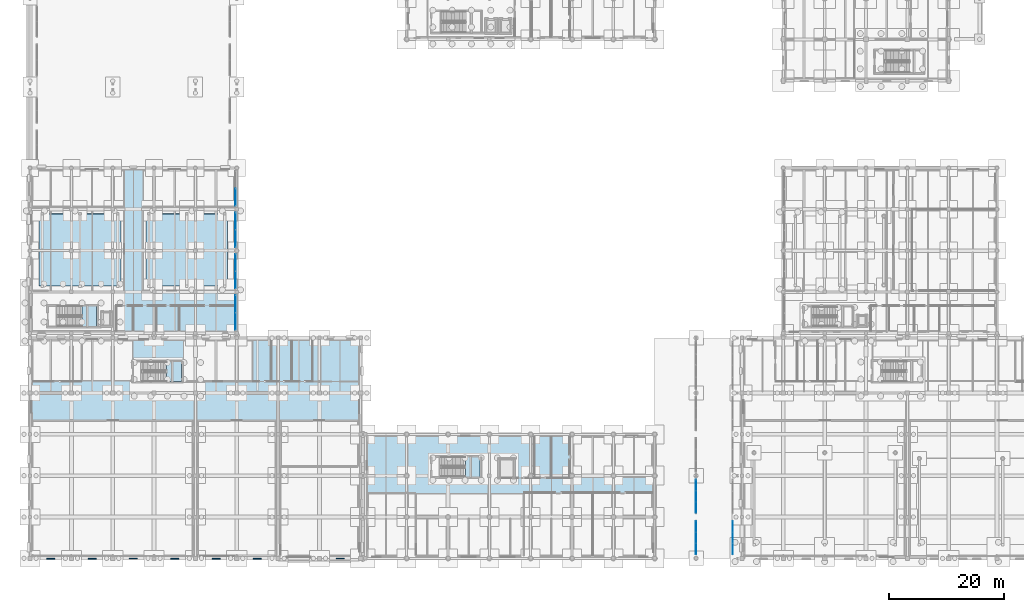
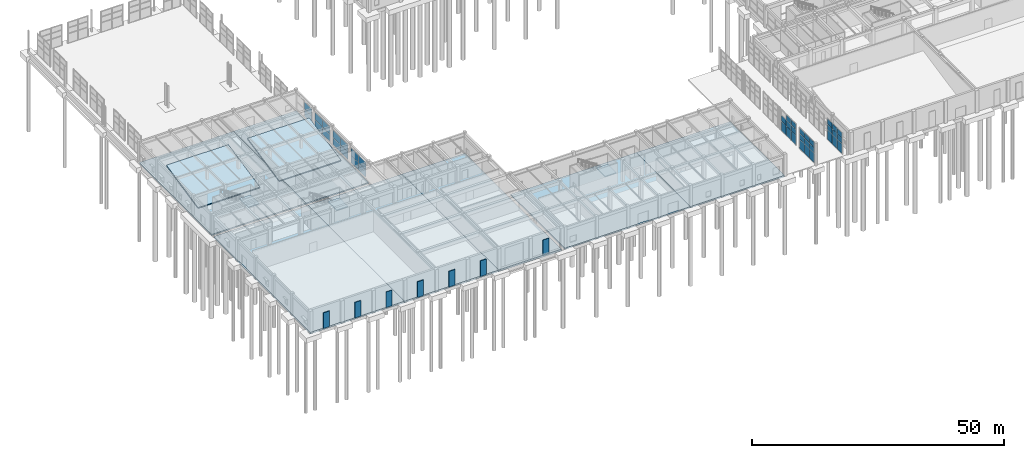
# One storey, part 56 of 91: 47 plates, 12 slabs, 10 elements without a shape of their own.
"""IFC4 building model written with IfcOpenShell, lengths in metres."""

from ifc_helpers import new_model, si_unit, direction, frame, origin, origin_2d, place, context, subcontext, project, spatial, polyline, rectangle, outline, extrude, material, layer, layer_set, type_object, element, aggregate, save


model = new_model("IFC4")

# Units and contexts
model_context = context("Model", 3, precision=1e-05, world=origin(), true_north=direction((0.0, 1.0)))
body_context = subcontext(model_context, "Body", "Model", "MODEL_VIEW")
ifc_project = project(units=[si_unit("LENGTHUNIT", "METRE"), si_unit("AREAUNIT", "SQUARE_METRE"), si_unit("VOLUMEUNIT", "CUBIC_METRE"), si_unit("PLANEANGLEUNIT", "RADIAN"), si_unit("MASSUNIT", "GRAM", prefix="KILO")], contexts=[model_context])

# Site, building, storey
site_placement = place(None, origin())
site = spatial("IfcSite", under=ifc_project, at=site_placement, CompositionType="ELEMENT")
building_placement = place(site_placement, origin())
building = spatial("IfcBuilding", under=site, at=building_placement, Name="Bramveld Media Centre", CompositionType="ELEMENT")
storey_placement = place(building_placement, origin())
storey = spatial("IfcBuildingStorey", under=building, at=storey_placement, Name="L00", CompositionType="ELEMENT", Elevation=0.0)

# Curtain wall, plates
ifc_material_1 = material(Name="Thermally broken anodized bronze aluminium unitized curtain wall with solar-control triple glazing", Category="aluminium")
curtain_wall_type_1 = type_object("IfcCurtainWallType", Name="CW-FACV3-6100x3670", PredefinedType="NOTDEFINED", material=ifc_material_1)
curtain_wall_1_placement = place(storey_placement, origin())
curtain_wall_1 = element("IfcCurtainWall", 1, at=curtain_wall_1_placement, inside=storey, type_object=curtain_wall_type_1, Name="V3 L00 E curtain wall bay 1", PredefinedType="NOTDEFINED")
ifc_material_2 = material(Name="Solar-control triple insulating safety glass unit", Category="glass")
ifc_layer_1 = layer(ifc_material_2, 0.028076171875)
ifc_layer_set_1 = layer_set([ifc_layer_1], Name="Solar-control triple insulating safety glass unit")
plate_type_1 = type_object("IfcPlateType", Name="CW-PAN-EXT", PredefinedType="CURTAIN_PANEL", material=ifc_layer_set_1)
plate_1_placement = place(storey_placement, frame((35.77001953125, 41.2900390625, 0.909912109375), z_axis=(0.0, 0.0, 1.0), x_axis=(0.0, 1.0, 0.0)))
plate_1 = element("IfcPlate", 2, at=plate_1_placement, type_object=plate_type_1, Name="CW-FA-6136 panel 1.1", PredefinedType="CURTAIN_PANEL", context=body_context, shape_type="SweptSolid", body=[
    extrude(rectangle(XDim=2.9599609375, YDim=0.028076171875, at=origin_2d()), origin(), (0.0, 0.0, 1.0), 1.7451171875),
])
plate_2_placement = place(storey_placement, frame((35.77001953125, 41.2900390625, 2.71484375), z_axis=(0.0, 0.0, 1.0), x_axis=(0.0, 1.0, 0.0)))
plate_2 = element("IfcPlate", 3, at=plate_2_placement, type_object=plate_type_1, Name="CW-FA-6136 panel 1.2", PredefinedType="CURTAIN_PANEL", context=body_context, shape_type="SweptSolid", body=[
    extrude(rectangle(XDim=2.9599609375, YDim=0.028076171875, at=origin_2d()), origin(), (0.0, 0.0, 1.0), 1.7451171875),
])
plate_3_placement = place(storey_placement, frame((35.77001953125, 44.31005859375, 0.909912109375), z_axis=(0.0, 0.0, 1.0), x_axis=(0.0, 1.0, 0.0)))
plate_3 = element("IfcPlate", 4, at=plate_3_placement, type_object=plate_type_1, Name="CW-FA-6136 panel 2.1", PredefinedType="CURTAIN_PANEL", context=body_context, shape_type="SweptSolid", body=[
    extrude(rectangle(XDim=2.9599609375, YDim=0.028076171875, at=origin_2d()), origin(), (0.0, 0.0, 1.0), 1.7451171875),
])
plate_4_placement = place(storey_placement, frame((35.77001953125, 44.31005859375, 2.71484375), z_axis=(0.0, 0.0, 1.0), x_axis=(0.0, 1.0, 0.0)))
plate_4 = element("IfcPlate", 5, at=plate_4_placement, type_object=plate_type_1, Name="CW-FA-6136 panel 2.2", PredefinedType="CURTAIN_PANEL", context=body_context, shape_type="SweptSolid", body=[
    extrude(rectangle(XDim=2.9599609375, YDim=0.028076171875, at=origin_2d()), origin(), (0.0, 0.0, 1.0), 1.7451171875),
])
aggregate(curtain_wall_1, [plate_1, plate_2, plate_3, plate_4])

curtain_wall_2_placement = place(storey_placement, origin())
curtain_wall_2 = element("IfcCurtainWall", 6, at=curtain_wall_2_placement, inside=storey, type_object=curtain_wall_type_1, Name="V3 L00 E curtain wall bay 2", PredefinedType="NOTDEFINED")
plate_5_placement = place(storey_placement, frame((35.77001953125, 48.489990234375, 0.909912109375), z_axis=(0.0, 0.0, 1.0), x_axis=(0.0, 1.0, 0.0)))
plate_5 = element("IfcPlate", 7, at=plate_5_placement, type_object=plate_type_1, Name="CW-FA-6136 panel 1.1", PredefinedType="CURTAIN_PANEL", context=body_context, shape_type="SweptSolid", body=[
    extrude(rectangle(XDim=2.9599609375, YDim=0.028076171875, at=origin_2d()), origin(), (0.0, 0.0, 1.0), 1.7451171875),
])
plate_6_placement = place(storey_placement, frame((35.77001953125, 48.489990234375, 2.71484375), z_axis=(0.0, 0.0, 1.0), x_axis=(0.0, 1.0, 0.0)))
plate_6 = element("IfcPlate", 8, at=plate_6_placement, type_object=plate_type_1, Name="CW-FA-6136 panel 1.2", PredefinedType="CURTAIN_PANEL", context=body_context, shape_type="SweptSolid", body=[
    extrude(rectangle(XDim=2.9599609375, YDim=0.028076171875, at=origin_2d()), origin(), (0.0, 0.0, 1.0), 1.7451171875),
])
plate_7_placement = place(storey_placement, frame((35.77001953125, 51.510009765625, 0.909912109375), z_axis=(0.0, 0.0, 1.0), x_axis=(0.0, 1.0, 0.0)))
plate_7 = element("IfcPlate", 9, at=plate_7_placement, type_object=plate_type_1, Name="CW-FA-6136 panel 2.1", PredefinedType="CURTAIN_PANEL", context=body_context, shape_type="SweptSolid", body=[
    extrude(rectangle(XDim=2.9599609375, YDim=0.028076171875, at=origin_2d()), origin(), (0.0, 0.0, 1.0), 1.7451171875),
])
plate_8_placement = place(storey_placement, frame((35.77001953125, 51.510009765625, 2.71484375), z_axis=(0.0, 0.0, 1.0), x_axis=(0.0, 1.0, 0.0)))
plate_8 = element("IfcPlate", 10, at=plate_8_placement, type_object=plate_type_1, Name="CW-FA-6136 panel 2.2", PredefinedType="CURTAIN_PANEL", context=body_context, shape_type="SweptSolid", body=[
    extrude(rectangle(XDim=2.9599609375, YDim=0.028076171875, at=origin_2d()), origin(), (0.0, 0.0, 1.0), 1.7451171875),
])
aggregate(curtain_wall_2, [plate_5, plate_6, plate_7, plate_8])

curtain_wall_3_placement = place(storey_placement, origin())
curtain_wall_3 = element("IfcCurtainWall", 11, at=curtain_wall_3_placement, inside=storey, type_object=curtain_wall_type_1, Name="V3 L00 E curtain wall bay 3", PredefinedType="NOTDEFINED")
plate_9_placement = place(storey_placement, frame((35.77001953125, 55.68994140625, 0.909912109375), z_axis=(0.0, 0.0, 1.0), x_axis=(0.0, 1.0, 0.0)))
plate_9 = element("IfcPlate", 12, at=plate_9_placement, type_object=plate_type_1, Name="CW-FA-6136 panel 1.1", PredefinedType="CURTAIN_PANEL", context=body_context, shape_type="SweptSolid", body=[
    extrude(rectangle(XDim=2.9599609375, YDim=0.028076171875, at=origin_2d()), origin(), (0.0, 0.0, 1.0), 1.7451171875),
])
plate_10_placement = place(storey_placement, frame((35.77001953125, 55.68994140625, 2.71484375), z_axis=(0.0, 0.0, 1.0), x_axis=(0.0, 1.0, 0.0)))
plate_10 = element("IfcPlate", 13, at=plate_10_placement, type_object=plate_type_1, Name="CW-FA-6136 panel 1.2", PredefinedType="CURTAIN_PANEL", context=body_context, shape_type="SweptSolid", body=[
    extrude(rectangle(XDim=2.9599609375, YDim=0.028076171875, at=origin_2d()), origin(), (0.0, 0.0, 1.0), 1.7451171875),
])
plate_11_placement = place(storey_placement, frame((35.77001953125, 58.7099609375, 0.909912109375), z_axis=(0.0, 0.0, 1.0), x_axis=(0.0, 1.0, 0.0)))
plate_11 = element("IfcPlate", 14, at=plate_11_placement, type_object=plate_type_1, Name="CW-FA-6136 panel 2.1", PredefinedType="CURTAIN_PANEL", context=body_context, shape_type="SweptSolid", body=[
    extrude(rectangle(XDim=2.9599609375, YDim=0.028076171875, at=origin_2d()), origin(), (0.0, 0.0, 1.0), 1.7451171875),
])
plate_12_placement = place(storey_placement, frame((35.77001953125, 58.7099609375, 2.71484375), z_axis=(0.0, 0.0, 1.0), x_axis=(0.0, 1.0, 0.0)))
plate_12 = element("IfcPlate", 15, at=plate_12_placement, type_object=plate_type_1, Name="CW-FA-6136 panel 2.2", PredefinedType="CURTAIN_PANEL", context=body_context, shape_type="SweptSolid", body=[
    extrude(rectangle(XDim=2.9599609375, YDim=0.028076171875, at=origin_2d()), origin(), (0.0, 0.0, 1.0), 1.7451171875),
])
aggregate(curtain_wall_3, [plate_9, plate_10, plate_11, plate_12])

curtain_wall_4_placement = place(storey_placement, origin())
curtain_wall_4 = element("IfcCurtainWall", 16, at=curtain_wall_4_placement, inside=storey, type_object=curtain_wall_type_1, Name="V3 L00 E curtain wall bay 4", PredefinedType="NOTDEFINED")
plate_13_placement = place(storey_placement, frame((35.77001953125, 62.889892578125, 0.909912109375), z_axis=(0.0, 0.0, 1.0), x_axis=(0.0, 1.0, 0.0)))
plate_13 = element("IfcPlate", 17, at=plate_13_placement, type_object=plate_type_1, Name="CW-FA-6136 panel 1.1", PredefinedType="CURTAIN_PANEL", context=body_context, shape_type="SweptSolid", body=[
    extrude(rectangle(XDim=2.9599609375, YDim=0.028076171875, at=origin_2d()), origin(), (0.0, 0.0, 1.0), 1.7451171875),
])
plate_14_placement = place(storey_placement, frame((35.77001953125, 62.889892578125, 2.71484375), z_axis=(0.0, 0.0, 1.0), x_axis=(0.0, 1.0, 0.0)))
plate_14 = element("IfcPlate", 18, at=plate_14_placement, type_object=plate_type_1, Name="CW-FA-6136 panel 1.2", PredefinedType="CURTAIN_PANEL", context=body_context, shape_type="SweptSolid", body=[
    extrude(rectangle(XDim=2.9599609375, YDim=0.028076171875, at=origin_2d()), origin(), (0.0, 0.0, 1.0), 1.7451171875),
])
aggregate(curtain_wall_4, [plate_13, plate_14])

ifc_material_3 = material(Name="Thermally broken anodized bronze aluminium unitized curtain wall with solar-control triple glazing", Category="aluminium")
curtain_wall_type_2 = type_object("IfcCurtainWallType", Name="CW-GAL-5900x5160", PredefinedType="NOTDEFINED", material=ifc_material_3)
curtain_wall_5_placement = place(storey_placement, origin())
curtain_wall_5 = element("IfcCurtainWall", 19, at=curtain_wall_5_placement, inside=storey, type_object=curtain_wall_type_2, Name="PASS-M colonnade glazed screen 1", PredefinedType="NOTDEFINED")
plate_15_placement = place(storey_placement, frame((116.0, 1.6484375, 0.06005859375), z_axis=(0.0, 0.0, 1.0), x_axis=(0.0, 1.0, 0.0)))
plate_15 = element("IfcPlate", 20, at=plate_15_placement, type_object=plate_type_1, Name="CW-GA-5951 panel 1.1", PredefinedType="CURTAIN_PANEL", context=body_context, shape_type="SweptSolid", body=[
    extrude(rectangle(XDim=1.876708984375, YDim=0.028076171875, at=origin_2d()), origin(), (0.0, 0.0, 1.0), 2.31005859375),
])
plate_16_placement = place(storey_placement, frame((116.0, 1.6484375, 2.43017578125), z_axis=(0.0, 0.0, 1.0), x_axis=(0.0, 1.0, 0.0)))
plate_16 = element("IfcPlate", 21, at=plate_16_placement, type_object=plate_type_1, Name="CW-GA-5951 panel 1.2", PredefinedType="CURTAIN_PANEL", context=body_context, shape_type="SweptSolid", body=[
    extrude(rectangle(XDim=1.876708984375, YDim=0.028076171875, at=origin_2d()), origin(), (0.0, 0.0, 1.0), 1.340087890625),
])
plate_17_placement = place(storey_placement, frame((116.0, 1.6484375, 3.830078125), z_axis=(0.0, 0.0, 1.0), x_axis=(0.0, 1.0, 0.0)))
plate_17 = element("IfcPlate", 22, at=plate_17_placement, type_object=plate_type_1, Name="CW-GA-5951 panel 1.3", PredefinedType="CURTAIN_PANEL", context=body_context, shape_type="SweptSolid", body=[
    extrude(rectangle(XDim=1.876708984375, YDim=0.028076171875, at=origin_2d()), origin(), (0.0, 0.0, 1.0), 1.27001953125),
])
plate_18_placement = place(storey_placement, frame((116.0, 3.60009765625, 0.06005859375), z_axis=(0.0, 0.0, 1.0), x_axis=(0.0, 1.0, 0.0)))
plate_18 = element("IfcPlate", 23, at=plate_18_placement, type_object=plate_type_1, Name="CW-GA-5951 panel 2.1", PredefinedType="CURTAIN_PANEL", context=body_context, shape_type="SweptSolid", body=[
    extrude(rectangle(XDim=1.90673828125, YDim=0.028076171875, at=origin_2d()), origin(), (0.0, 0.0, 1.0), 2.31005859375),
])
plate_19_placement = place(storey_placement, frame((116.0, 3.60009765625, 2.43017578125), z_axis=(0.0, 0.0, 1.0), x_axis=(0.0, 1.0, 0.0)))
plate_19 = element("IfcPlate", 24, at=plate_19_placement, type_object=plate_type_1, Name="CW-GA-5951 panel 2.2", PredefinedType="CURTAIN_PANEL", context=body_context, shape_type="SweptSolid", body=[
    extrude(rectangle(XDim=1.90673828125, YDim=0.028076171875, at=origin_2d()), origin(), (0.0, 0.0, 1.0), 1.340087890625),
])
plate_20_placement = place(storey_placement, frame((116.0, 3.60009765625, 3.830078125), z_axis=(0.0, 0.0, 1.0), x_axis=(0.0, 1.0, 0.0)))
plate_20 = element("IfcPlate", 25, at=plate_20_placement, type_object=plate_type_1, Name="CW-GA-5951 panel 2.3", PredefinedType="CURTAIN_PANEL", context=body_context, shape_type="SweptSolid", body=[
    extrude(rectangle(XDim=1.90673828125, YDim=0.028076171875, at=origin_2d()), origin(), (0.0, 0.0, 1.0), 1.27001953125),
])
plate_21_placement = place(storey_placement, frame((116.0, 5.5517578125, 0.06005859375), z_axis=(0.0, 0.0, 1.0), x_axis=(0.0, 1.0, 0.0)))
plate_21 = element("IfcPlate", 26, at=plate_21_placement, type_object=plate_type_1, Name="CW-GA-5951 panel 3.1", PredefinedType="CURTAIN_PANEL", context=body_context, shape_type="SweptSolid", body=[
    extrude(rectangle(XDim=1.876708984375, YDim=0.028076171875, at=origin_2d()), origin(), (0.0, 0.0, 1.0), 2.31005859375),
])
plate_22_placement = place(storey_placement, frame((116.0, 5.5517578125, 2.43017578125), z_axis=(0.0, 0.0, 1.0), x_axis=(0.0, 1.0, 0.0)))
plate_22 = element("IfcPlate", 27, at=plate_22_placement, type_object=plate_type_1, Name="CW-GA-5951 panel 3.2", PredefinedType="CURTAIN_PANEL", context=body_context, shape_type="SweptSolid", body=[
    extrude(rectangle(XDim=1.876708984375, YDim=0.028076171875, at=origin_2d()), origin(), (0.0, 0.0, 1.0), 1.340087890625),
])
plate_23_placement = place(storey_placement, frame((116.0, 5.5517578125, 3.830078125), z_axis=(0.0, 0.0, 1.0), x_axis=(0.0, 1.0, 0.0)))
plate_23 = element("IfcPlate", 28, at=plate_23_placement, type_object=plate_type_1, Name="CW-GA-5951 panel 3.3", PredefinedType="CURTAIN_PANEL", context=body_context, shape_type="SweptSolid", body=[
    extrude(rectangle(XDim=1.876708984375, YDim=0.028076171875, at=origin_2d()), origin(), (0.0, 0.0, 1.0), 1.27001953125),
])
aggregate(curtain_wall_5, [plate_15, plate_16, plate_17, plate_18, plate_19, plate_20, plate_21, plate_22, plate_23])

curtain_wall_6_placement = place(storey_placement, origin())
curtain_wall_6 = element("IfcCurtainWall", 29, at=curtain_wall_6_placement, inside=storey, type_object=curtain_wall_type_2, Name="PASS-M colonnade glazed screen 2", PredefinedType="NOTDEFINED")
plate_24_placement = place(storey_placement, frame((116.0, 8.848388671875, 0.06005859375), z_axis=(0.0, 0.0, 1.0), x_axis=(0.0, 1.0, 0.0)))
plate_24 = element("IfcPlate", 30, at=plate_24_placement, type_object=plate_type_1, Name="CW-GA-5951 panel 1.1", PredefinedType="CURTAIN_PANEL", context=body_context, shape_type="SweptSolid", body=[
    extrude(rectangle(XDim=1.876708984375, YDim=0.028076171875, at=origin_2d()), origin(), (0.0, 0.0, 1.0), 2.31005859375),
])
plate_25_placement = place(storey_placement, frame((116.0, 8.848388671875, 2.43017578125), z_axis=(0.0, 0.0, 1.0), x_axis=(0.0, 1.0, 0.0)))
plate_25 = element("IfcPlate", 31, at=plate_25_placement, type_object=plate_type_1, Name="CW-GA-5951 panel 1.2", PredefinedType="CURTAIN_PANEL", context=body_context, shape_type="SweptSolid", body=[
    extrude(rectangle(XDim=1.876708984375, YDim=0.028076171875, at=origin_2d()), origin(), (0.0, 0.0, 1.0), 1.340087890625),
])
plate_26_placement = place(storey_placement, frame((116.0, 8.848388671875, 3.830078125), z_axis=(0.0, 0.0, 1.0), x_axis=(0.0, 1.0, 0.0)))
plate_26 = element("IfcPlate", 32, at=plate_26_placement, type_object=plate_type_1, Name="CW-GA-5951 panel 1.3", PredefinedType="CURTAIN_PANEL", context=body_context, shape_type="SweptSolid", body=[
    extrude(rectangle(XDim=1.876708984375, YDim=0.028076171875, at=origin_2d()), origin(), (0.0, 0.0, 1.0), 1.27001953125),
])
plate_27_placement = place(storey_placement, frame((116.0, 10.800048828125, 0.06005859375), z_axis=(0.0, 0.0, 1.0), x_axis=(0.0, 1.0, 0.0)))
plate_27 = element("IfcPlate", 33, at=plate_27_placement, type_object=plate_type_1, Name="CW-GA-5951 panel 2.1", PredefinedType="CURTAIN_PANEL", context=body_context, shape_type="SweptSolid", body=[
    extrude(rectangle(XDim=1.90673828125, YDim=0.028076171875, at=origin_2d()), origin(), (0.0, 0.0, 1.0), 2.31005859375),
])
plate_28_placement = place(storey_placement, frame((116.0, 10.800048828125, 2.43017578125), z_axis=(0.0, 0.0, 1.0), x_axis=(0.0, 1.0, 0.0)))
plate_28 = element("IfcPlate", 34, at=plate_28_placement, type_object=plate_type_1, Name="CW-GA-5951 panel 2.2", PredefinedType="CURTAIN_PANEL", context=body_context, shape_type="SweptSolid", body=[
    extrude(rectangle(XDim=1.90673828125, YDim=0.028076171875, at=origin_2d()), origin(), (0.0, 0.0, 1.0), 1.340087890625),
])
plate_29_placement = place(storey_placement, frame((116.0, 10.800048828125, 3.830078125), z_axis=(0.0, 0.0, 1.0), x_axis=(0.0, 1.0, 0.0)))
plate_29 = element("IfcPlate", 35, at=plate_29_placement, type_object=plate_type_1, Name="CW-GA-5951 panel 2.3", PredefinedType="CURTAIN_PANEL", context=body_context, shape_type="SweptSolid", body=[
    extrude(rectangle(XDim=1.90673828125, YDim=0.028076171875, at=origin_2d()), origin(), (0.0, 0.0, 1.0), 1.27001953125),
])
plate_30_placement = place(storey_placement, frame((116.0, 12.751708984375, 0.06005859375), z_axis=(0.0, 0.0, 1.0), x_axis=(0.0, 1.0, 0.0)))
plate_30 = element("IfcPlate", 36, at=plate_30_placement, type_object=plate_type_1, Name="CW-GA-5951 panel 3.1", PredefinedType="CURTAIN_PANEL", context=body_context, shape_type="SweptSolid", body=[
    extrude(rectangle(XDim=1.876708984375, YDim=0.028076171875, at=origin_2d()), origin(), (0.0, 0.0, 1.0), 2.31005859375),
])
plate_31_placement = place(storey_placement, frame((116.0, 12.751708984375, 2.43017578125), z_axis=(0.0, 0.0, 1.0), x_axis=(0.0, 1.0, 0.0)))
plate_31 = element("IfcPlate", 37, at=plate_31_placement, type_object=plate_type_1, Name="CW-GA-5951 panel 3.2", PredefinedType="CURTAIN_PANEL", context=body_context, shape_type="SweptSolid", body=[
    extrude(rectangle(XDim=1.876708984375, YDim=0.028076171875, at=origin_2d()), origin(), (0.0, 0.0, 1.0), 1.340087890625),
])
aggregate(curtain_wall_6, [plate_24, plate_25, plate_26, plate_27, plate_28, plate_29, plate_30, plate_31])

curtain_wall_7_placement = place(storey_placement, origin())
curtain_wall_7 = element("IfcCurtainWall", 38, at=curtain_wall_7_placement, inside=storey, type_object=curtain_wall_type_2, Name="PASS-E colonnade glazed screen 1", PredefinedType="NOTDEFINED")
plate_32_placement = place(storey_placement, frame((122.39990234375, 1.6484375, 0.06005859375), z_axis=(0.0, 0.0, 1.0), x_axis=(0.0, 1.0, 0.0)))
plate_32 = element("IfcPlate", 39, at=plate_32_placement, type_object=plate_type_1, Name="CW-GA-5951 panel 1.1", PredefinedType="CURTAIN_PANEL", context=body_context, shape_type="SweptSolid", body=[
    extrude(rectangle(XDim=1.876708984375, YDim=0.028076171875, at=origin_2d()), origin(), (0.0, 0.0, 1.0), 2.31005859375),
])
plate_33_placement = place(storey_placement, frame((122.39990234375, 1.6484375, 2.43017578125), z_axis=(0.0, 0.0, 1.0), x_axis=(0.0, 1.0, 0.0)))
plate_33 = element("IfcPlate", 40, at=plate_33_placement, type_object=plate_type_1, Name="CW-GA-5951 panel 1.2", PredefinedType="CURTAIN_PANEL", context=body_context, shape_type="SweptSolid", body=[
    extrude(rectangle(XDim=1.876708984375, YDim=0.028076171875, at=origin_2d()), origin(), (0.0, 0.0, 1.0), 1.340087890625),
])
plate_34_placement = place(storey_placement, frame((122.39990234375, 1.6484375, 3.830078125), z_axis=(0.0, 0.0, 1.0), x_axis=(0.0, 1.0, 0.0)))
plate_34 = element("IfcPlate", 41, at=plate_34_placement, type_object=plate_type_1, Name="CW-GA-5951 panel 1.3", PredefinedType="CURTAIN_PANEL", context=body_context, shape_type="SweptSolid", body=[
    extrude(rectangle(XDim=1.876708984375, YDim=0.028076171875, at=origin_2d()), origin(), (0.0, 0.0, 1.0), 1.27001953125),
])
plate_35_placement = place(storey_placement, frame((122.39990234375, 3.60009765625, 0.06005859375), z_axis=(0.0, 0.0, 1.0), x_axis=(0.0, 1.0, 0.0)))
plate_35 = element("IfcPlate", 42, at=plate_35_placement, type_object=plate_type_1, Name="CW-GA-5951 panel 2.1", PredefinedType="CURTAIN_PANEL", context=body_context, shape_type="SweptSolid", body=[
    extrude(rectangle(XDim=1.90673828125, YDim=0.028076171875, at=origin_2d()), origin(), (0.0, 0.0, 1.0), 2.31005859375),
])
plate_36_placement = place(storey_placement, frame((122.39990234375, 3.60009765625, 2.43017578125), z_axis=(0.0, 0.0, 1.0), x_axis=(0.0, 1.0, 0.0)))
plate_36 = element("IfcPlate", 43, at=plate_36_placement, type_object=plate_type_1, Name="CW-GA-5951 panel 2.2", PredefinedType="CURTAIN_PANEL", context=body_context, shape_type="SweptSolid", body=[
    extrude(rectangle(XDim=1.90673828125, YDim=0.028076171875, at=origin_2d()), origin(), (0.0, 0.0, 1.0), 1.340087890625),
])
plate_37_placement = place(storey_placement, frame((122.39990234375, 3.60009765625, 3.830078125), z_axis=(0.0, 0.0, 1.0), x_axis=(0.0, 1.0, 0.0)))
plate_37 = element("IfcPlate", 44, at=plate_37_placement, type_object=plate_type_1, Name="CW-GA-5951 panel 2.3", PredefinedType="CURTAIN_PANEL", context=body_context, shape_type="SweptSolid", body=[
    extrude(rectangle(XDim=1.90673828125, YDim=0.028076171875, at=origin_2d()), origin(), (0.0, 0.0, 1.0), 1.27001953125),
])
plate_38_placement = place(storey_placement, frame((122.39990234375, 5.5517578125, 0.06005859375), z_axis=(0.0, 0.0, 1.0), x_axis=(0.0, 1.0, 0.0)))
plate_38 = element("IfcPlate", 45, at=plate_38_placement, type_object=plate_type_1, Name="CW-GA-5951 panel 3.1", PredefinedType="CURTAIN_PANEL", context=body_context, shape_type="SweptSolid", body=[
    extrude(rectangle(XDim=1.876708984375, YDim=0.028076171875, at=origin_2d()), origin(), (0.0, 0.0, 1.0), 2.31005859375),
])
plate_39_placement = place(storey_placement, frame((122.39990234375, 5.5517578125, 2.43017578125), z_axis=(0.0, 0.0, 1.0), x_axis=(0.0, 1.0, 0.0)))
plate_39 = element("IfcPlate", 46, at=plate_39_placement, type_object=plate_type_1, Name="CW-GA-5951 panel 3.2", PredefinedType="CURTAIN_PANEL", context=body_context, shape_type="SweptSolid", body=[
    extrude(rectangle(XDim=1.876708984375, YDim=0.028076171875, at=origin_2d()), origin(), (0.0, 0.0, 1.0), 1.340087890625),
])
plate_40_placement = place(storey_placement, frame((122.39990234375, 5.5517578125, 3.830078125), z_axis=(0.0, 0.0, 1.0), x_axis=(0.0, 1.0, 0.0)))
plate_40 = element("IfcPlate", 47, at=plate_40_placement, type_object=plate_type_1, Name="CW-GA-5951 panel 3.3", PredefinedType="CURTAIN_PANEL", context=body_context, shape_type="SweptSolid", body=[
    extrude(rectangle(XDim=1.876708984375, YDim=0.028076171875, at=origin_2d()), origin(), (0.0, 0.0, 1.0), 1.27001953125),
])
aggregate(curtain_wall_7, [plate_32, plate_33, plate_34, plate_35, plate_36, plate_37, plate_38, plate_39, plate_40])

# Plates
ifc_material_4 = material(Name="Perforated Flemish red-brown clay brick claustra screen on stainless steel ties", Category="masonry")
ifc_layer_2 = layer(ifc_material_4, 0.114990234375)
ifc_layer_set_2 = layer_set([ifc_layer_2], Name="Perforated Flemish red-brown clay brick claustra screen on stainless steel ties")
plate_type_2 = type_object("IfcPlateType", Name="PLT-CLAUSTRA-115", PredefinedType="USERDEFINED", material=ifc_layer_set_2)
for number, where, z_axis, x_axis, name in (
    (48, (54.0, -0.03759765625, 0.0), (0.0, 0.0, 1.0), (1.0, 0.0, 0.0), "Perforated Flemish brick claustra screen 8"),
    (49, (18.0, -0.03759765625, 0.0), (0.0, 0.0, 1.0), (1.0, 0.0, 0.0), "Perforated Flemish brick claustra screen 12"),
):
    element("IfcPlate", number, at=place(storey_placement, frame(where, z_axis=z_axis, x_axis=x_axis)), inside=storey, type_object=plate_type_2, Name=name, ObjectType="CLAUSTRA_PANEL", PredefinedType="USERDEFINED", context=body_context, shape_type="SweptSolid", body=[
        extrude(rectangle(XDim=1.39208984375, YDim=0.114990234375, at=origin_2d()), origin(), (0.0, 0.0, 1.0), 3.800048828125),
    ])
ifc_material_5 = material(Name="Perforated Flemish red-brown clay brick claustra screen on stainless steel ties", Category="masonry")
ifc_layer_3 = layer(ifc_material_5, 0.135009765625)
ifc_layer_set_3 = layer_set([ifc_layer_3], Name="Perforated Flemish red-brown clay brick claustra screen on stainless steel ties")
plate_type_3 = type_object("IfcPlateType", Name="PLT-CLAUSTRA-135", PredefinedType="USERDEFINED", material=ifc_layer_set_3)
for number, where, z_axis, x_axis, name in (
    (50, (39.60009765625, -0.047607421875, 0.0), (0.0, 0.0, 1.0), (1.0, 0.0, 0.0), "Perforated Flemish brick claustra screen 9"),
    (51, (10.800048828125, -0.047607421875, 0.0), (0.0, 0.0, 1.0), (1.0, 0.0, 0.0), "Perforated Flemish brick claustra screen 13"),
):
    element("IfcPlate", number, at=place(storey_placement, frame(where, z_axis=z_axis, x_axis=x_axis)), inside=storey, type_object=plate_type_3, Name=name, ObjectType="CLAUSTRA_PANEL", PredefinedType="USERDEFINED", context=body_context, shape_type="SweptSolid", body=[
        extrude(rectangle(XDim=1.39208984375, YDim=0.135009765625, at=origin_2d()), origin(), (0.0, 0.0, 1.0), 3.800048828125),
    ])
ifc_material_6 = material(Name="Perforated Flemish red-brown clay brick claustra screen on stainless steel ties", Category="masonry")
ifc_layer_4 = layer(ifc_material_6, 0.155029296875)
ifc_layer_set_4 = layer_set([ifc_layer_4], Name="Perforated Flemish red-brown clay brick claustra screen on stainless steel ties")
plate_type_4 = type_object("IfcPlateType", Name="PLT-CLAUSTRA-155", PredefinedType="USERDEFINED", material=ifc_layer_set_4)
for number, where, z_axis, x_axis, name in (
    (52, (32.39990234375, -0.0576171875, 0.0), (0.0, 0.0, 1.0), (1.0, 0.0, 0.0), "Perforated Flemish brick claustra screen 10"),
    (53, (3.60009765625, -0.0576171875, 0.0), (0.0, 0.0, 1.0), (1.0, 0.0, 0.0), "Perforated Flemish brick claustra screen 14"),
):
    element("IfcPlate", number, at=place(storey_placement, frame(where, z_axis=z_axis, x_axis=x_axis)), inside=storey, type_object=plate_type_4, Name=name, ObjectType="CLAUSTRA_PANEL", PredefinedType="USERDEFINED", context=body_context, shape_type="SweptSolid", body=[
        extrude(rectangle(XDim=1.39208984375, YDim=0.155029296875, at=origin_2d()), origin(), (0.0, 0.0, 1.0), 3.800048828125),
    ])
ifc_material_7 = material(Name="Perforated Flemish red-brown clay brick claustra screen on stainless steel ties", Category="masonry")
ifc_layer_5 = layer(ifc_material_7, 0.175048828125)
ifc_layer_set_5 = layer_set([ifc_layer_5], Name="Perforated Flemish red-brown clay brick claustra screen on stainless steel ties")
plate_type_5 = type_object("IfcPlateType", Name="PLT-CLAUSTRA-175", PredefinedType="USERDEFINED", material=ifc_layer_set_5)
plate_41_placement = place(storey_placement, frame((25.199951171875, -0.0673828125, 0.0), z_axis=(0.0, 0.0, 1.0), x_axis=(1.0, 0.0, 0.0)))
element("IfcPlate", 54, at=plate_41_placement, inside=storey, type_object=plate_type_5, Name="Perforated Flemish brick claustra screen 11", ObjectType="CLAUSTRA_PANEL", PredefinedType="USERDEFINED", context=body_context, shape_type="SweptSolid", body=[
    extrude(rectangle(XDim=1.39208984375, YDim=0.175048828125, at=origin_2d()), origin(), (0.0, 0.0, 1.0), 3.800048828125),
])

# Slabs
ifc_material_8 = material(Name="Concrete C35/45", Category="concrete")
ifc_layer_6 = layer(ifc_material_8, 0.320068359375)
ifc_layer_set_6 = layer_set([ifc_layer_6], Name="Concrete C35/45")
slab_type_1 = type_object("IfcSlabType", Name="SLAB-BASESLAB-INT-320", PredefinedType="BASESLAB", material=ifc_layer_set_6)
slab_1_placement = place(storey_placement, frame((0.0, 0.0, -0.320068359375)))
element("IfcSlab", 55, at=slab_1_placement, inside=storey, type_object=slab_type_1, Name="V3 L00 structural slab 1", PredefinedType="BASESLAB", context=body_context, shape_type="SweptSolid", body=[
    extrude(outline(polyline([(0.0, 39.199951171875), (0.0, 68.0), (21.60009765625, 68.0), (21.60009765625, 39.199951171875), (0.0, 39.199951171875)])), origin(), (0.0, 0.0, 1.0), 0.320068359375),
])
slab_2_placement = place(storey_placement, frame((0.0, 0.0, -0.320068359375)))
element("IfcSlab", 56, at=slab_2_placement, inside=storey, type_object=slab_type_1, Name="V3 L00 structural slab 2", PredefinedType="BASESLAB", context=body_context, shape_type="SweptSolid", body=[
    extrude(outline(polyline([(36.0, 68.0), (36.0, 39.199951171875), (21.60009765625, 39.199951171875), (21.60009765625, 68.0), (36.0, 68.0)])), origin(), (0.0, 0.0, 1.0), 0.320068359375),
])
ifc_material_9 = material(Name="Concrete C35/45", Category="concrete")
ifc_layer_7 = layer(ifc_material_9, 0.340087890625)
ifc_layer_set_7 = layer_set([ifc_layer_7], Name="Concrete C35/45")
slab_type_2 = type_object("IfcSlabType", Name="SLAB-BASESLAB-INT-340", PredefinedType="BASESLAB", material=ifc_layer_set_7)
slab_3_placement = place(storey_placement, frame((0.0, 0.0, -0.340087890625)))
element("IfcSlab", 57, at=slab_3_placement, inside=storey, type_object=slab_type_2, Name="V5 L00 structural slab 1", PredefinedType="BASESLAB", context=body_context, shape_type="SweptSolid", body=[
    extrude(outline(polyline([(58.39990234375, 0.0), (58.39990234375, 21.60009765625), (87.199951171875, 21.60009765625), (87.199951171875, 0.0), (58.39990234375, 0.0)])), origin(), (0.0, 0.0, 1.0), 0.340087890625),
])
slab_4_placement = place(storey_placement, frame((0.0, 0.0, -0.340087890625)))
element("IfcSlab", 58, at=slab_4_placement, inside=storey, type_object=slab_type_2, Name="V5 L00 structural slab 2", PredefinedType="BASESLAB", context=body_context, shape_type="SweptSolid", body=[
    extrude(outline(polyline([(108.800048828125, 21.60009765625), (108.800048828125, 0.0), (87.199951171875, 0.0), (87.199951171875, 21.60009765625), (108.800048828125, 21.60009765625)])), origin(), (0.0, 0.0, 1.0), 0.340087890625),
])
ifc_material_10 = material(Name="Concrete C35/45", Category="concrete")
ifc_layer_8 = layer(ifc_material_10, 0.3798828125)
ifc_layer_set_8 = layer_set([ifc_layer_8], Name="Concrete C35/45")
slab_type_3 = type_object("IfcSlabType", Name="SLAB-BASESLAB-INT-380", PredefinedType="BASESLAB", material=ifc_layer_set_8)
slab_5_placement = place(storey_placement, frame((0.0, 0.0, -0.3798828125)))
element("IfcSlab", 59, at=slab_5_placement, inside=storey, type_object=slab_type_3, Name="V2 L00 structural slab 1", PredefinedType="BASESLAB", context=body_context, shape_type="SweptSolid", body=[
    extrude(outline(polyline([(0.0, 0.0), (0.0, 38.39990234375), (21.60009765625, 38.39990234375), (21.60009765625, 0.0), (0.0, 0.0)])), origin(), (0.0, 0.0, 1.0), 0.3798828125),
])
slab_6_placement = place(storey_placement, frame((0.0, 0.0, -0.3798828125)))
element("IfcSlab", 60, at=slab_6_placement, inside=storey, type_object=slab_type_3, Name="V2 L00 structural slab 2", PredefinedType="BASESLAB", context=body_context, shape_type="SweptSolid", body=[
    extrude(outline(polyline([(43.199951171875, 38.39990234375), (43.199951171875, 0.0), (21.60009765625, 0.0), (21.60009765625, 38.39990234375), (43.199951171875, 38.39990234375)])), origin(), (0.0, 0.0, 1.0), 0.3798828125),
])
slab_7_placement = place(storey_placement, frame((0.0, 0.0, -0.3798828125)))
element("IfcSlab", 61, at=slab_7_placement, inside=storey, type_object=slab_type_3, Name="V2 L00 structural slab 3", PredefinedType="BASESLAB", context=body_context, shape_type="SweptSolid", body=[
    extrude(outline(polyline([(57.60009765625, 38.39990234375), (57.60009765625, 0.0), (43.199951171875, 0.0), (43.199951171875, 38.39990234375), (57.60009765625, 38.39990234375)])), origin(), (0.0, 0.0, 1.0), 0.3798828125),
])

# Stair, slab
ifc_material_11 = material(Name="Concrete C40/50", Category="concrete")
stair_type_1 = type_object("IfcStairType", Name="STAIR-ST-04-32R-1650", PredefinedType="HALF_TURN_STAIR", material=ifc_material_11)
stair_1_placement = place(storey_placement, origin())
stair_1 = element("IfcStair", 62, at=stair_1_placement, inside=storey, type_object=stair_type_1, Name="L00 Repertory Cinema & Rooftop Terrace Stair", PredefinedType="HALF_TURN_STAIR")
ifc_material_12 = material(Name="Concrete C40/50", Category="concrete")
ifc_layer_9 = layer(ifc_material_12, 0.199951171875)
ifc_layer_set_9 = layer_set([ifc_layer_9], Name="Concrete C40/50")
slab_type_4 = type_object("IfcSlabType", Name="SLAB-STAIR-LAND-200", PredefinedType="LANDING", material=ifc_layer_set_9)
slab_8_placement = place(storey_placement, frame((0.0, 0.0, 2.5)))
slab_8 = element("IfcSlab", 63, at=slab_8_placement, type_object=slab_type_4, Name="ST-04 landing 1", PredefinedType="LANDING", context=body_context, shape_type="SweptSolid", body=[
    extrude(outline(polyline([(9.050048828125, 40.39990234375), (11.60009765625, 40.39990234375), (11.60009765625, 43.949951171875), (9.050048828125, 43.949951171875), (9.050048828125, 40.39990234375)])), origin(), (0.0, 0.0, 1.0), 0.199951171875),
])
aggregate(stair_1, [slab_8])

ifc_material_13 = material(Name="Concrete C40/50", Category="concrete")
stair_type_2 = type_object("IfcStairType", Name="STAIR-ST-05-32R-1600", PredefinedType="HALF_TURN_STAIR", material=ifc_material_13)
stair_2_placement = place(storey_placement, origin())
stair_2 = element("IfcStair", 64, at=stair_2_placement, inside=storey, type_object=stair_type_2, Name="L00 Broadcast Studio Gallery Stair", PredefinedType="HALF_TURN_STAIR")
slab_9_placement = place(storey_placement, frame((0.0, 0.0, 2.5)))
slab_9 = element("IfcSlab", 65, at=slab_9_placement, type_object=slab_type_4, Name="ST-05 landing 1", PredefinedType="LANDING", context=body_context, shape_type="SweptSolid", body=[
    extrude(outline(polyline([(23.800048828125, 30.800048828125), (26.39990234375, 30.800048828125), (26.39990234375, 34.25), (23.800048828125, 34.25), (23.800048828125, 30.800048828125)])), origin(), (0.0, 0.0, 1.0), 0.199951171875),
])
aggregate(stair_2, [slab_9])

ifc_material_14 = material(Name="Concrete C40/50", Category="concrete")
stair_type_3 = type_object("IfcStairType", Name="STAIR-ST-06-32R-1600", PredefinedType="HALF_TURN_STAIR", material=ifc_material_14)
stair_3_placement = place(storey_placement, origin())
stair_3 = element("IfcStair", 66, at=stair_3_placement, inside=storey, type_object=stair_type_3, Name="L00 Mediatheque & Vault Wing Stair", PredefinedType="HALF_TURN_STAIR")
slab_10_placement = place(storey_placement, frame((0.0, 0.0, 2.5)))
slab_10 = element("IfcSlab", 67, at=slab_10_placement, type_object=slab_type_4, Name="ST-06 landing 1", PredefinedType="LANDING", context=body_context, shape_type="SweptSolid", body=[
    extrude(outline(polyline([(75.800048828125, 14.199951171875), (78.39990234375, 14.199951171875), (78.39990234375, 17.64990234375), (75.800048828125, 17.64990234375), (75.800048828125, 14.199951171875)])), origin(), (0.0, 0.0, 1.0), 0.199951171875),
])
aggregate(stair_3, [slab_10])

# Slabs
ifc_material_15 = material(Name="Concrete C40/50", Category="concrete")
ifc_layer_10 = layer(ifc_material_15, 0.22998046875)
ifc_layer_set_10 = layer_set([ifc_layer_10], Name="Concrete C40/50")
slab_type_5 = type_object("IfcSlabType", Name="SLAB-TIER-INT-230", PredefinedType="USERDEFINED", material=ifc_layer_set_10)
slab_11_placement = place(storey_placement, frame((20.199951171875, 47.39990234375, 0.97998046875), z_axis=(0.0, -0.20729423043, 0.978278642326), x_axis=(1.0, 0.0, 0.0)))
element("IfcSlab", 68, at=slab_11_placement, inside=storey, type_object=slab_type_5, Name="Cinema 4 Raked Seating Slab", ObjectType="SEATING TIER", PredefinedType="USERDEFINED", context=body_context, shape_type="SweptSolid", body=[
    extrude(outline(polyline([(0.0, 0.0), (14.199951171875, 0.0), (14.199951171875, 12.879865828712665), (0.0, 12.879865828712665), (0.0, 0.0)])), origin(), (0.0, 0.0, -1.0), 0.22998046875),
])
ifc_material_16 = material(Name="Concrete C40/50", Category="concrete")
ifc_layer_11 = layer(ifc_material_16, 0.25)
ifc_layer_set_11 = layer_set([ifc_layer_11], Name="Concrete C40/50")
slab_type_6 = type_object("IfcSlabType", Name="SLAB-TIER-INT-250", PredefinedType="USERDEFINED", material=ifc_layer_set_11)
slab_12_placement = place(storey_placement, frame((1.60009765625, 47.39990234375, 0.97998046875), z_axis=(0.0, -0.20729423043, 0.978278642326), x_axis=(1.0, 0.0, 0.0)))
element("IfcSlab", 69, at=slab_12_placement, inside=storey, type_object=slab_type_6, Name="Cinema 3 Raked Seating Slab", ObjectType="SEATING TIER", PredefinedType="USERDEFINED", context=body_context, shape_type="SweptSolid", body=[
    extrude(outline(polyline([(0.0, 0.0), (14.199951171875, 0.0), (14.199951171875, 12.879865828712665), (0.0, 12.879865828712665), (0.0, 0.0)])), origin(), (0.0, 0.0, -1.0), 0.25),
])

save(model, "model.ifc")
